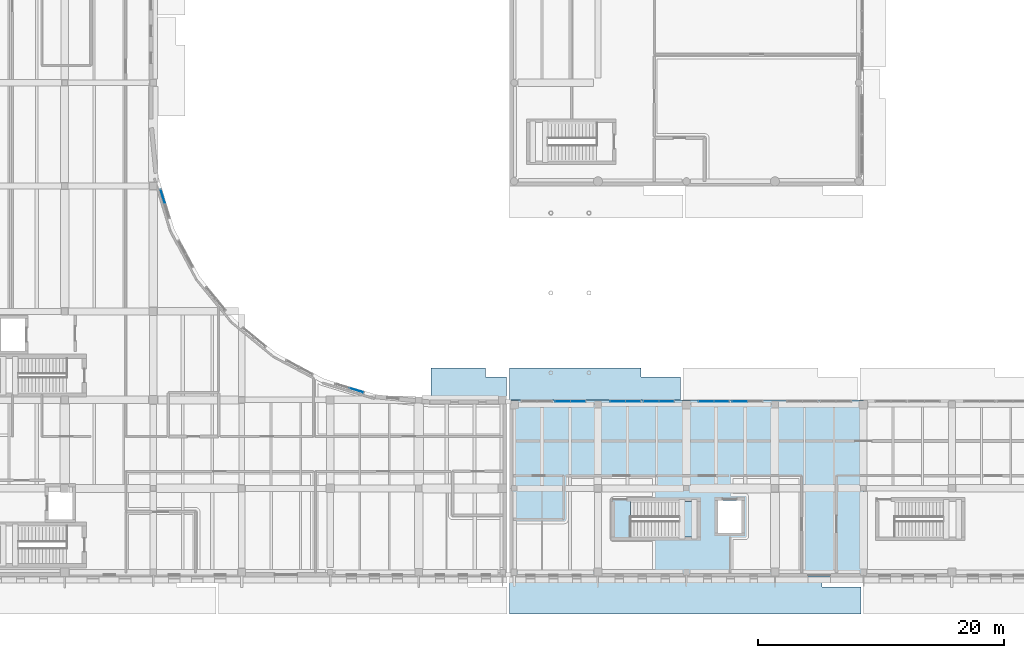
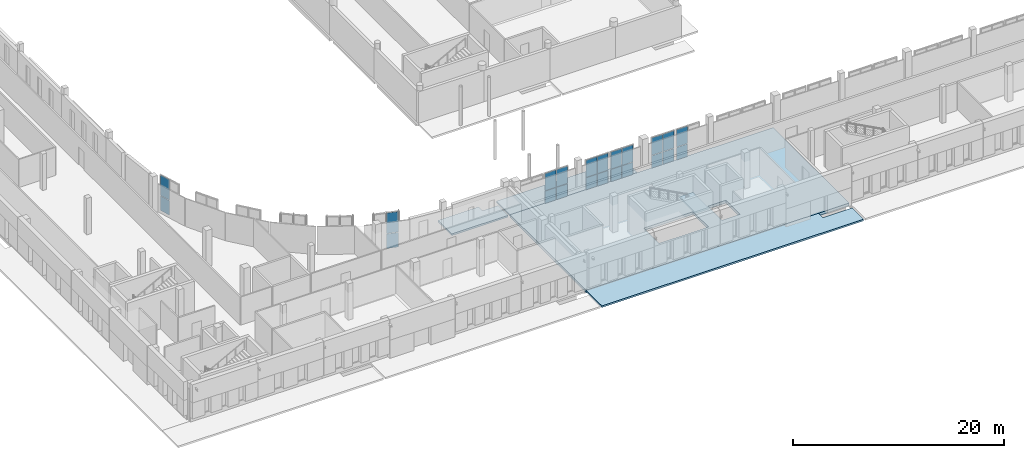
# One storey, part 38 of 77: 22 plates, 5 slabs, 8 elements without a shape of their own.
"""IFC4 building model written with IfcOpenShell, lengths in metres."""

import ifcopenshell
import ifcopenshell.guid

model = None  # the IFC model being written
_history = None  # IfcOwnerHistory: only IFC2X3 demands one
_inside = {}  # id of a spatial element -> (the spatial element, [elements in it])
_under = {}  # id of a project, library or spatial element -> (it, [spatial elements below it])
_declared = {}  # id of a project -> (the project, [libraries it declares])
_typed = {}  # id of a type object -> (the type object, [elements of that type])
_made_of = {}  # id of a material, layer set ... -> (it, [elements and type objects made of it])


def new_model(schema):
    """Start an empty IFC model of exactly this schema.

    Asked for "IFC4X3", IfcOpenShell would pick the latest addendum, in which some entities
    have other attributes; the version numbers below select the first issue.
    IFC2X3 requires an IfcOwnerHistory on every rooted entity: one is made here for all.
    """
    global model, _history
    if schema == "IFC4X3":
        model = ifcopenshell.file(schema_version=(4, 3, 0, 0))
    else:
        model = ifcopenshell.file(schema=schema)
    _inside.clear()
    _under.clear()
    _declared.clear()
    _typed.clear()
    _made_of.clear()
    _history = None
    if model.schema == "IFC2X3":
        org = make("IfcOrganization", Name="unknown")
        user = make(
            "IfcPersonAndOrganization",
            ThePerson=make("IfcPerson", FamilyName="unknown"),
            TheOrganization=org,
        )
        app = make(
            "IfcApplication",
            ApplicationDeveloper=org,
            Version="unknown",
            ApplicationFullName="unknown",
            ApplicationIdentifier="unknown",
        )
        _history = make(
            "IfcOwnerHistory",
            OwningUser=user,
            OwningApplication=app,
            ChangeAction="ADDED",
            CreationDate=0,
        )
    return model


def make(cls, **values):
    """One entity of the class cls with the attributes given. An attribute that is None is left unset."""
    return model.create_entity(
        cls, **{name: value for name, value in values.items() if value is not None}
    )


def rooted(cls, **values):
    """An entity with a GlobalId (a new one), such as an element, a storey or a relation."""
    return make(cls, GlobalId=ifcopenshell.guid.new(), OwnerHistory=_history, **values)


def si_unit(unit_type, name, prefix=None):
    """IfcSIUnit, for example si_unit("LENGTHUNIT", "METRE", prefix="MILLI")."""
    return make("IfcSIUnit", UnitType=unit_type, Prefix=prefix, Name=name)


def assignment(units):
    """IfcUnitAssignment: the units of a project."""
    return None if units is None else make("IfcUnitAssignment", Units=units)


def point(xyz):
    """IfcCartesianPoint."""
    return None if xyz is None else make("IfcCartesianPoint", Coordinates=xyz)


def direction(xyz):
    """IfcDirection."""
    return None if xyz is None else make("IfcDirection", DirectionRatios=xyz)


def frame(location, z_axis=None, x_axis=None):
    """IfcAxis2Placement3D, a coordinate frame: its origin and axes. An axis left out is left unset."""
    return make(
        "IfcAxis2Placement3D",
        Location=point(location),
        Axis=direction(z_axis),
        RefDirection=direction(x_axis),
    )


def frame_2d(location, x_axis=None):
    """IfcAxis2Placement2D, a coordinate frame in the plane: its origin and x axis."""
    return make(
        "IfcAxis2Placement2D", Location=point(location), RefDirection=direction(x_axis)
    )


def origin():
    """The frame at (0, 0, 0) with its axes left unset."""
    return frame((0.0, 0.0, 0.0))


def origin_2d():
    """The frame at (0, 0) in the plane with its x axis left unset."""
    return frame_2d((0.0, 0.0))


def place(relative_to, where):
    """IfcLocalPlacement: puts the frame where relative to a parent placement (None: the world)."""
    return make(
        "IfcLocalPlacement", PlacementRelTo=relative_to, RelativePlacement=where
    )


def context(
    kind, dimensions, precision=None, world=None, true_north=None, identifier=None
):
    """IfcGeometricRepresentationContext, for example the 3D "Model" context."""
    return make(
        "IfcGeometricRepresentationContext",
        ContextIdentifier=identifier,
        ContextType=kind,
        CoordinateSpaceDimension=dimensions,
        Precision=precision,
        WorldCoordinateSystem=world,
        TrueNorth=true_north,
    )


def subcontext(parent, identifier, kind, view, scale=None):
    """IfcGeometricRepresentationSubContext, for example "Body" below "Model"."""
    return make(
        "IfcGeometricRepresentationSubContext",
        ContextIdentifier=identifier,
        ContextType=kind,
        ParentContext=parent,
        TargetScale=scale,
        TargetView=view,
    )


def project(units=None, contexts=None):
    """IfcProject with its units and contexts."""
    return rooted(
        "IfcProject",
        Name="project",
        RepresentationContexts=contexts,
        UnitsInContext=assignment(units),
    )


def spatial(cls, under=None, at=None, **own):
    """A site, building, storey or space (cls), placed at a placement, below another one or the project."""
    s = rooted(cls, ObjectPlacement=at, **own)
    if under is not None:
        _under.setdefault(under.id(), (under, []))[1].append(s)
    return s


def polyline(points):
    """IfcPolyline through the points."""
    return make("IfcPolyline", Points=[point(p) for p in points])


def profile(cls, at=None, kind="AREA", **sizes):
    """A parametric profile (cls). Its sizes go by their IFC names, for example OverallWidth=200.0."""
    return make(cls, ProfileType=kind, Position=at, **sizes)


def rectangle(**sizes):
    """IfcRectangleProfileDef."""
    return profile("IfcRectangleProfileDef", **sizes)


def outline(outer, holes=None, kind="AREA"):
    """IfcArbitraryClosedProfileDef: a profile drawn as a closed curve; with holes, ...WithVoids."""
    if holes is None:
        return make("IfcArbitraryClosedProfileDef", ProfileType=kind, OuterCurve=outer)
    return make(
        "IfcArbitraryProfileDefWithVoids",
        ProfileType=kind,
        OuterCurve=outer,
        InnerCurves=holes,
    )


def extrude(swept, where, along, depth):
    """IfcExtrudedAreaSolid: the profile swept, set in the frame where, extruded along a direction by depth."""
    return make(
        "IfcExtrudedAreaSolid",
        SweptArea=swept,
        Position=where,
        ExtrudedDirection=direction(along),
        Depth=depth,
    )


def shape(context_of_items, identifier, shape_type, items):
    """IfcShapeRepresentation: the items that make up one representation, for example the "Body"."""
    return make(
        "IfcShapeRepresentation",
        ContextOfItems=context_of_items,
        RepresentationIdentifier=identifier,
        RepresentationType=shape_type,
        Items=items,
    )


def material(Name=None, Category=None):
    """IfcMaterial."""
    return make("IfcMaterial", Name=Name, Category=Category)


def layer(
    of_material, thickness, ventilated=None, Name=None, Category=None, Priority=None
):
    """IfcMaterialLayer: one layer of a wall or slab, of a material (None: an air gap)."""
    return make(
        "IfcMaterialLayer",
        Material=of_material,
        LayerThickness=thickness,
        IsVentilated=ventilated,
        Name=Name,
        Category=Category,
        Priority=Priority,
    )


def layer_set(layers, Name=None):
    """IfcMaterialLayerSet."""
    return make("IfcMaterialLayerSet", MaterialLayers=layers, LayerSetName=Name)


def made_of(thing, what):
    """Note that an element or type object is made of a material, layer set ...; save() writes the relation."""
    if what is not None:
        _made_of.setdefault(what.id(), (what, []))[1].append(thing)
    return thing


def type_object(cls, material=None, **own):
    """A type object (cls), such as IfcWallType, which elements share."""
    return made_of(rooted(cls, **own), material)


def element(
    cls,
    number,
    at=None,
    inside=None,
    cuts=None,
    type_object=None,
    material=None,
    context=None,
    identifier="Body",
    shape_type=None,
    held_by="IfcProductDefinitionShape",
    body=None,
    shapes=None,
    **own,
):
    """One element of the class cls, such as IfcWall. Its Tag is "e" and its number.

    at: its placement. inside: the storey or other place that contains it. cuts: it is an
    opening in that element (IfcRelVoidsElement). A single representation is given by context,
    identifier, shape_type and body (its items); several are given by shapes. held_by: the class
    of the entity that holds the representations. save() writes the other relations.
    """
    e = rooted(cls, Tag="e%d" % number, ObjectPlacement=at, **own)
    if body is not None:
        shapes = [shape(context, identifier, shape_type, body)]
    if shapes is not None:
        e.Representation = make(held_by, Representations=shapes)
    if inside is not None:
        _inside.setdefault(inside.id(), (inside, []))[1].append(e)
    if cuts is not None:
        rooted(
            "IfcRelVoidsElement", RelatingBuildingElement=cuts, RelatedOpeningElement=e
        )
    if type_object is not None:
        _typed.setdefault(type_object.id(), (type_object, []))[1].append(e)
    return made_of(e, material)


def aggregate(whole, parts):
    """IfcRelAggregates: a whole, such as a stair, and the parts it consists of."""
    return rooted("IfcRelAggregates", RelatingObject=whole, RelatedObjects=parts)


def save(model, path):
    """Write the relations noted so far, then the file.

    IfcRelAggregates (storeys below a building ...), IfcRelContainedInSpatialStructure (elements
    in a storey), IfcRelDefinesByType, IfcRelAssociatesMaterial and IfcRelDeclares: one each for
    every whole, place, type object, material and project.
    """
    for whole, parts in _under.values():
        aggregate(whole, parts)
    for where, things in _inside.values():
        rooted(
            "IfcRelContainedInSpatialStructure",
            RelatedElements=things,
            RelatingStructure=where,
        )
    for kind, things in _typed.values():
        rooted("IfcRelDefinesByType", RelatedObjects=things, RelatingType=kind)
    for what, things in _made_of.values():
        rooted("IfcRelAssociatesMaterial", RelatedObjects=things, RelatingMaterial=what)
    for by, libraries in _declared.values():
        rooted("IfcRelDeclares", RelatingContext=by, RelatedDefinitions=libraries)
    model.write(path)


model = new_model("IFC4")

# Units and contexts
model_context = context("Model", 3, precision=1e-05, world=origin(), true_north=direction((0.0, 1.0)))
body_context = subcontext(model_context, "Body", "Model", "MODEL_VIEW")
ifc_project = project(units=[si_unit("LENGTHUNIT", "METRE"), si_unit("AREAUNIT", "SQUARE_METRE"), si_unit("VOLUMEUNIT", "CUBIC_METRE"), si_unit("PLANEANGLEUNIT", "RADIAN"), si_unit("MASSUNIT", "GRAM", prefix="KILO")], contexts=[model_context])

# Site, building, storey
site_placement = place(None, origin())
site = spatial("IfcSite", under=ifc_project, at=site_placement, CompositionType="ELEMENT")
building_placement = place(site_placement, origin())
building = spatial("IfcBuilding", under=site, at=building_placement, Name="Vardoun Plaza Health Centre", CompositionType="ELEMENT")
storey_placement = place(building_placement, origin())
storey = spatial("IfcBuildingStorey", under=building, at=storey_placement, Name="L00", CompositionType="ELEMENT", Elevation=0.0)

# Curtain wall, plates
ifc_material_1 = material(Name="Aluminium Alloy EN AW-6063-T6 and Low-E Glass", Category="aluminium")
ifc_layer_1 = layer(ifc_material_1, 0.159912109375)
ifc_layer_set_1 = layer_set([ifc_layer_1], Name="Aluminium Alloy EN AW-6063-T6 and Low-E Glass")
curtain_wall_type_1 = type_object("IfcCurtainWallType", Name="CW-02", PredefinedType="USERDEFINED", material=ifc_layer_set_1)
curtain_wall_1_placement = place(storey_placement, origin())
curtain_wall_1 = element("IfcCurtainWall", 1, at=curtain_wall_1_placement, inside=storey, type_object=curtain_wall_type_1, Name="Curtain Wall CW-V2-033", ObjectType="COURTYARD_CURTAIN_WALL", PredefinedType="USERDEFINED")
ifc_material_2 = material(Name="Solar-Control Double Low-E Glazing", Category="glass")
ifc_layer_2 = layer(ifc_material_2, 0.028076171875)
ifc_layer_set_2 = layer_set([ifc_layer_2], Name="Solar-Control Double Low-E Glazing")
plate_type = type_object("IfcPlateType", Name="CW-P1", PredefinedType="CURTAIN_PANEL", material=ifc_layer_set_2)
plate_1_placement = place(storey_placement, frame((19.68115234375, 35.44677734375, 0.06005859375), z_axis=(0.0, 0.0, 1.0), x_axis=(0.290300428595, -0.956935557474, 0.0)))
plate_1 = element("IfcPlate", 2, at=plate_1_placement, type_object=plate_type, Name="CW-V2-033 panel 1.1", PredefinedType="CURTAIN_PANEL", context=body_context, shape_type="SweptSolid", body=[
    extrude(rectangle(XDim=1.155517578125, YDim=0.028076171875, at=origin_2d()), origin(), (0.0, 0.0, 1.0), 1.682373046875),
])
plate_2_placement = place(storey_placement, frame((19.68115234375, 35.44677734375, 1.80224609375), z_axis=(0.0, 0.0, 1.0), x_axis=(0.290300428595, -0.956935557474, 0.0)))
plate_2 = element("IfcPlate", 3, at=plate_2_placement, type_object=plate_type, Name="CW-V2-033 panel 1.2", PredefinedType="CURTAIN_PANEL", context=body_context, shape_type="SweptSolid", body=[
    extrude(rectangle(XDim=1.155517578125, YDim=0.028076171875, at=origin_2d()), origin(), (0.0, 0.0, 1.0), 2.357666015625),
])
aggregate(curtain_wall_1, [plate_1, plate_2])

curtain_wall_2_placement = place(storey_placement, origin())
curtain_wall_2 = element("IfcCurtainWall", 4, at=curtain_wall_2_placement, inside=storey, type_object=curtain_wall_type_1, Name="Curtain Wall CW-V2-038", ObjectType="COURTYARD_CURTAIN_WALL", PredefinedType="USERDEFINED")
plate_3_placement = place(storey_placement, frame((35.44677734375, 19.68115234375, 0.06005859375), z_axis=(0.0, 0.0, 1.0), x_axis=(0.956935557474, -0.290300428595, 0.0)))
plate_3 = element("IfcPlate", 5, at=plate_3_placement, type_object=plate_type, Name="CW-V2-038 panel 2.1", PredefinedType="CURTAIN_PANEL", context=body_context, shape_type="SweptSolid", body=[
    extrude(rectangle(XDim=1.155517578125, YDim=0.028076171875, at=origin_2d()), origin(), (0.0, 0.0, 1.0), 1.682373046875),
])
plate_4_placement = place(storey_placement, frame((35.44677734375, 19.68115234375, 1.80224609375), z_axis=(0.0, 0.0, 1.0), x_axis=(0.956935557474, -0.290300428595, 0.0)))
plate_4 = element("IfcPlate", 6, at=plate_4_placement, type_object=plate_type, Name="CW-V2-038 panel 2.2", PredefinedType="CURTAIN_PANEL", context=body_context, shape_type="SweptSolid", body=[
    extrude(rectangle(XDim=1.155517578125, YDim=0.028076171875, at=origin_2d()), origin(), (0.0, 0.0, 1.0), 2.357666015625),
])
aggregate(curtain_wall_2, [plate_3, plate_4])

ifc_material_3 = material(Name="Aluminium Alloy EN AW-6063-T6 and Low-E Glass", Category="aluminium")
ifc_layer_3 = layer(ifc_material_3, 0.14990234375)
ifc_layer_set_3 = layer_set([ifc_layer_3], Name="Aluminium Alloy EN AW-6063-T6 and Low-E Glass")
curtain_wall_type_2 = type_object("IfcCurtainWallType", Name="CW-03", PredefinedType="NOTDEFINED", material=ifc_layer_set_3)
curtain_wall_3_placement = place(storey_placement, origin())
curtain_wall_3 = element("IfcCurtainWall", 7, at=curtain_wall_3_placement, inside=storey, type_object=curtain_wall_type_2, Name="Curtain Wall CW-V4-102", PredefinedType="NOTDEFINED")
plate_5_placement = place(storey_placement, frame((52.215087890625, 18.780029296875, 0.06005859375), z_axis=(0.0, 0.0, 1.0), x_axis=(1.0, 0.0, 0.0)))
plate_5 = element("IfcPlate", 8, at=plate_5_placement, type_object=plate_type, Name="CW-V4-102 panel 1.1", PredefinedType="CURTAIN_PANEL", context=body_context, shape_type="SweptSolid", body=[
    extrude(rectangle(XDim=1.18994140625, YDim=0.028076171875, at=origin_2d()), origin(), (0.0, 0.0, 1.0), 1.417724609375),
])
plate_6_placement = place(storey_placement, frame((52.215087890625, 18.780029296875, 1.537841796875), z_axis=(0.0, 0.0, 1.0), x_axis=(1.0, 0.0, 0.0)))
plate_6 = element("IfcPlate", 9, at=plate_6_placement, type_object=plate_type, Name="CW-V4-102 panel 1.2", PredefinedType="CURTAIN_PANEL", context=body_context, shape_type="SweptSolid", body=[
    extrude(rectangle(XDim=1.18994140625, YDim=0.028076171875, at=origin_2d()), origin(), (0.0, 0.0, 1.0), 1.9921875),
])
plate_7_placement = place(storey_placement, frame((53.465087890625, 18.780029296875, 0.06005859375), z_axis=(0.0, 0.0, 1.0), x_axis=(1.0, 0.0, 0.0)))
plate_7 = element("IfcPlate", 10, at=plate_7_placement, type_object=plate_type, Name="CW-V4-102 panel 2.1", PredefinedType="CURTAIN_PANEL", context=body_context, shape_type="SweptSolid", body=[
    extrude(rectangle(XDim=1.18994140625, YDim=0.028076171875, at=origin_2d()), origin(), (0.0, 0.0, 1.0), 1.417724609375),
])
plate_8_placement = place(storey_placement, frame((53.465087890625, 18.780029296875, 1.537841796875), z_axis=(0.0, 0.0, 1.0), x_axis=(1.0, 0.0, 0.0)))
plate_8 = element("IfcPlate", 11, at=plate_8_placement, type_object=plate_type, Name="CW-V4-102 panel 2.2", PredefinedType="CURTAIN_PANEL", context=body_context, shape_type="SweptSolid", body=[
    extrude(rectangle(XDim=1.18994140625, YDim=0.028076171875, at=origin_2d()), origin(), (0.0, 0.0, 1.0), 1.9921875),
])
aggregate(curtain_wall_3, [plate_5, plate_6, plate_7, plate_8])

curtain_wall_4_placement = place(storey_placement, origin())
curtain_wall_4 = element("IfcCurtainWall", 12, at=curtain_wall_4_placement, inside=storey, type_object=curtain_wall_type_2, Name="Curtain Wall CW-V4-103", PredefinedType="NOTDEFINED")
plate_9_placement = place(storey_placement, frame((56.695068359375, 18.780029296875, 0.06005859375), z_axis=(0.0, 0.0, 1.0), x_axis=(1.0, 0.0, 0.0)))
plate_9 = element("IfcPlate", 13, at=plate_9_placement, type_object=plate_type, Name="CW-V4-103 panel 1.1", PredefinedType="CURTAIN_PANEL", context=body_context, shape_type="SweptSolid", body=[
    extrude(rectangle(XDim=1.18994140625, YDim=0.028076171875, at=origin_2d()), origin(), (0.0, 0.0, 1.0), 1.40087890625),
])
plate_10_placement = place(storey_placement, frame((56.695068359375, 18.780029296875, 1.52099609375), z_axis=(0.0, 0.0, 1.0), x_axis=(1.0, 0.0, 0.0)))
plate_10 = element("IfcPlate", 14, at=plate_10_placement, type_object=plate_type, Name="CW-V4-103 panel 1.2", PredefinedType="CURTAIN_PANEL", context=body_context, shape_type="SweptSolid", body=[
    extrude(rectangle(XDim=1.18994140625, YDim=0.028076171875, at=origin_2d()), origin(), (0.0, 0.0, 1.0), 1.968994140625),
])
plate_11_placement = place(storey_placement, frame((57.945068359375, 18.780029296875, 0.06005859375), z_axis=(0.0, 0.0, 1.0), x_axis=(1.0, 0.0, 0.0)))
plate_11 = element("IfcPlate", 15, at=plate_11_placement, type_object=plate_type, Name="CW-V4-103 panel 2.1", PredefinedType="CURTAIN_PANEL", context=body_context, shape_type="SweptSolid", body=[
    extrude(rectangle(XDim=1.18994140625, YDim=0.028076171875, at=origin_2d()), origin(), (0.0, 0.0, 1.0), 1.40087890625),
])
plate_12_placement = place(storey_placement, frame((57.945068359375, 18.780029296875, 1.52099609375), z_axis=(0.0, 0.0, 1.0), x_axis=(1.0, 0.0, 0.0)))
plate_12 = element("IfcPlate", 16, at=plate_12_placement, type_object=plate_type, Name="CW-V4-103 panel 2.2", PredefinedType="CURTAIN_PANEL", context=body_context, shape_type="SweptSolid", body=[
    extrude(rectangle(XDim=1.18994140625, YDim=0.028076171875, at=origin_2d()), origin(), (0.0, 0.0, 1.0), 1.968994140625),
])
aggregate(curtain_wall_4, [plate_9, plate_10, plate_11, plate_12])

curtain_wall_5_placement = place(storey_placement, origin())
curtain_wall_5 = element("IfcCurtainWall", 17, at=curtain_wall_5_placement, inside=storey, type_object=curtain_wall_type_2, Name="Curtain Wall CW-V4-104", PredefinedType="NOTDEFINED")
plate_13_placement = place(storey_placement, frame((59.4150390625, 18.780029296875, 0.06005859375), z_axis=(0.0, 0.0, 1.0), x_axis=(1.0, 0.0, 0.0)))
plate_13 = element("IfcPlate", 18, at=plate_13_placement, type_object=plate_type, Name="CW-V4-104 panel 1.1", PredefinedType="CURTAIN_PANEL", context=body_context, shape_type="SweptSolid", body=[
    extrude(rectangle(XDim=1.18994140625, YDim=0.028076171875, at=origin_2d()), origin(), (0.0, 0.0, 1.0), 1.40087890625),
])
plate_14_placement = place(storey_placement, frame((59.4150390625, 18.780029296875, 1.52099609375), z_axis=(0.0, 0.0, 1.0), x_axis=(1.0, 0.0, 0.0)))
plate_14 = element("IfcPlate", 19, at=plate_14_placement, type_object=plate_type, Name="CW-V4-104 panel 1.2", PredefinedType="CURTAIN_PANEL", context=body_context, shape_type="SweptSolid", body=[
    extrude(rectangle(XDim=1.18994140625, YDim=0.028076171875, at=origin_2d()), origin(), (0.0, 0.0, 1.0), 1.968994140625),
])
plate_15_placement = place(storey_placement, frame((60.6650390625, 18.780029296875, 0.06005859375), z_axis=(0.0, 0.0, 1.0), x_axis=(1.0, 0.0, 0.0)))
plate_15 = element("IfcPlate", 20, at=plate_15_placement, type_object=plate_type, Name="CW-V4-104 panel 2.1", PredefinedType="CURTAIN_PANEL", context=body_context, shape_type="SweptSolid", body=[
    extrude(rectangle(XDim=1.18994140625, YDim=0.028076171875, at=origin_2d()), origin(), (0.0, 0.0, 1.0), 1.40087890625),
])
plate_16_placement = place(storey_placement, frame((60.6650390625, 18.780029296875, 1.52099609375), z_axis=(0.0, 0.0, 1.0), x_axis=(1.0, 0.0, 0.0)))
plate_16 = element("IfcPlate", 21, at=plate_16_placement, type_object=plate_type, Name="CW-V4-104 panel 2.2", PredefinedType="CURTAIN_PANEL", context=body_context, shape_type="SweptSolid", body=[
    extrude(rectangle(XDim=1.18994140625, YDim=0.028076171875, at=origin_2d()), origin(), (0.0, 0.0, 1.0), 1.968994140625),
])
aggregate(curtain_wall_5, [plate_13, plate_14, plate_15, plate_16])

curtain_wall_6_placement = place(storey_placement, origin())
curtain_wall_6 = element("IfcCurtainWall", 22, at=curtain_wall_6_placement, inside=storey, type_object=curtain_wall_type_2, Name="Curtain Wall CW-V4-105", PredefinedType="NOTDEFINED")
plate_17_placement = place(storey_placement, frame((63.89501953125, 18.780029296875, 0.06005859375), z_axis=(0.0, 0.0, 1.0), x_axis=(1.0, 0.0, 0.0)))
plate_17 = element("IfcPlate", 23, at=plate_17_placement, type_object=plate_type, Name="CW-V4-105 panel 1.1", PredefinedType="CURTAIN_PANEL", context=body_context, shape_type="SweptSolid", body=[
    extrude(rectangle(XDim=1.18994140625, YDim=0.028076171875, at=origin_2d()), origin(), (0.0, 0.0, 1.0), 1.430419921875),
])
plate_18_placement = place(storey_placement, frame((63.89501953125, 18.780029296875, 1.55029296875), z_axis=(0.0, 0.0, 1.0), x_axis=(1.0, 0.0, 0.0)))
plate_18 = element("IfcPlate", 24, at=plate_18_placement, type_object=plate_type, Name="CW-V4-105 panel 1.2", PredefinedType="CURTAIN_PANEL", context=body_context, shape_type="SweptSolid", body=[
    extrude(rectangle(XDim=1.18994140625, YDim=0.028076171875, at=origin_2d()), origin(), (0.0, 0.0, 1.0), 2.009521484375),
])
plate_19_placement = place(storey_placement, frame((65.14501953125, 18.780029296875, 0.06005859375), z_axis=(0.0, 0.0, 1.0), x_axis=(1.0, 0.0, 0.0)))
plate_19 = element("IfcPlate", 25, at=plate_19_placement, type_object=plate_type, Name="CW-V4-105 panel 2.1", PredefinedType="CURTAIN_PANEL", context=body_context, shape_type="SweptSolid", body=[
    extrude(rectangle(XDim=1.18994140625, YDim=0.028076171875, at=origin_2d()), origin(), (0.0, 0.0, 1.0), 1.430419921875),
])
plate_20_placement = place(storey_placement, frame((65.14501953125, 18.780029296875, 1.55029296875), z_axis=(0.0, 0.0, 1.0), x_axis=(1.0, 0.0, 0.0)))
plate_20 = element("IfcPlate", 26, at=plate_20_placement, type_object=plate_type, Name="CW-V4-105 panel 2.2", PredefinedType="CURTAIN_PANEL", context=body_context, shape_type="SweptSolid", body=[
    extrude(rectangle(XDim=1.18994140625, YDim=0.028076171875, at=origin_2d()), origin(), (0.0, 0.0, 1.0), 2.009521484375),
])
aggregate(curtain_wall_6, [plate_17, plate_18, plate_19, plate_20])

curtain_wall_7_placement = place(storey_placement, origin())
curtain_wall_7 = element("IfcCurtainWall", 27, at=curtain_wall_7_placement, inside=storey, type_object=curtain_wall_type_2, Name="Curtain Wall CW-V4-106", PredefinedType="NOTDEFINED")
plate_21_placement = place(storey_placement, frame((66.614990234375, 18.780029296875, 0.06005859375), z_axis=(0.0, 0.0, 1.0), x_axis=(1.0, 0.0, 0.0)))
plate_21 = element("IfcPlate", 28, at=plate_21_placement, type_object=plate_type, Name="CW-V4-106 panel 1.1", PredefinedType="CURTAIN_PANEL", context=body_context, shape_type="SweptSolid", body=[
    extrude(rectangle(XDim=1.18994140625, YDim=0.028076171875, at=origin_2d()), origin(), (0.0, 0.0, 1.0), 1.430419921875),
])
plate_22_placement = place(storey_placement, frame((66.614990234375, 18.780029296875, 1.55029296875), z_axis=(0.0, 0.0, 1.0), x_axis=(1.0, 0.0, 0.0)))
plate_22 = element("IfcPlate", 29, at=plate_22_placement, type_object=plate_type, Name="CW-V4-106 panel 1.2", PredefinedType="CURTAIN_PANEL", context=body_context, shape_type="SweptSolid", body=[
    extrude(rectangle(XDim=1.18994140625, YDim=0.028076171875, at=origin_2d()), origin(), (0.0, 0.0, 1.0), 2.009521484375),
])
aggregate(curtain_wall_7, [plate_21, plate_22])

# Stair, slab
ifc_material_4 = material(Name="Concrete C35/45", Category="concrete")
stair_type = type_object("IfcStairType", Name="ST-01", PredefinedType="HALF_TURN_STAIR", material=ifc_material_4)
stair_placement = place(storey_placement, origin())
stair = element("IfcStair", 30, at=stair_placement, inside=storey, type_object=stair_type, Name="Core C6 L00 Exit Stair ST-C6-L00", PredefinedType="HALF_TURN_STAIR")
ifc_material_5 = material(Name="Concrete C35/45", Category="concrete")
ifc_layer_4 = layer(ifc_material_5, 0.199951171875)
ifc_layer_set_4 = layer_set([ifc_layer_4], Name="Concrete C35/45")
slab_type_1 = type_object("IfcSlabType", Name="SL-LD", PredefinedType="LANDING", material=ifc_layer_set_4)
slab_1_placement = place(storey_placement, frame((0.0, 0.0, 2.050048828125)))
slab_1 = element("IfcSlab", 31, at=slab_1_placement, type_object=slab_type_1, Name="ST-C6-L00 landing 1", PredefinedType="LANDING", context=body_context, shape_type="SweptSolid", body=[
    extrude(outline(polyline([(61.66943359375, 7.75), (63.14990234375, 7.75), (63.14990234375, 10.64990234375), (61.66943359375, 10.64990234375), (61.66943359375, 7.75)])), origin(), (0.0, 0.0, 1.0), 0.199951171875),
])
aggregate(stair, [slab_1])

# Slabs
ifc_material_6 = material(Name="Concrete C35/45", Category="concrete")
ifc_layer_5 = layer(ifc_material_6, 0.31494140625)
ifc_layer_set_5 = layer_set([ifc_layer_5], Name="Concrete C35/45")
slab_type_2 = type_object("IfcSlabType", Name="SL-05", PredefinedType="FLOOR", material=ifc_layer_set_5)
slab_2_placement = place(storey_placement, frame((0.0, 0.0, -0.31494140625)))
element("IfcSlab", 32, at=slab_2_placement, inside=storey, type_object=slab_type_2, Name="V4 L00 Structural Slab A", PredefinedType="FLOOR", context=body_context, shape_type="SweptSolid", body=[
    extrude(outline(polyline([(47.8798828125, 4.5), (76.679931640625, 4.5), (76.679931640625, 18.89990234375), (47.8798828125, 18.89990234375), (47.8798828125, 4.5)]), holes=[polyline([(57.75048828125, 7.75), (63.14990234375, 7.75), (63.14990234375, 10.64990234375), (57.75048828125, 10.64990234375), (57.75048828125, 7.75)]), polyline([(64.820068359375, 8.070068359375), (66.780029296875, 8.070068359375), (66.780029296875, 10.72998046875), (64.820068359375, 10.72998046875), (64.820068359375, 8.070068359375)])]), origin(), (0.0, 0.0, 1.0), 0.31494140625),
])
ifc_material_7 = material(Name="Pale Limestone Concrete C35/45", Category="masonry")
ifc_layer_6 = layer(ifc_material_7, 0.169921875)
ifc_layer_set_6 = layer_set([ifc_layer_6], Name="Pale Limestone Concrete C35/45")
slab_type_3 = type_object("IfcSlabType", Name="SL-T2", PredefinedType="USERDEFINED", material=ifc_layer_set_6)
slab_3_placement = place(storey_placement, frame((0.0, 0.0, -0.199951171875)))
element("IfcSlab", 33, at=slab_3_placement, inside=storey, type_object=slab_type_3, Name="Ground Plaza Paving Apron PZ-S3", ObjectType="PAVING", PredefinedType="USERDEFINED", context=body_context, shape_type="SweptSolid", body=[
    extrude(outline(polyline([(47.8798828125, 1.5), (76.5, 1.5), (76.5, 3.659912109375), (73.300048828125, 3.659912109375), (73.300048828125, 4.5), (47.8798828125, 4.5), (47.8798828125, 1.5)])), origin(), (0.0, 0.0, 1.0), 0.199951171875),
])
slab_4_placement = place(storey_placement, frame((0.0, 0.0, -0.199951171875)))
element("IfcSlab", 34, at=slab_4_placement, inside=storey, type_object=slab_type_3, Name="Ground Plaza Paving Apron PZ-C05", ObjectType="PAVING", PredefinedType="USERDEFINED", context=body_context, shape_type="SweptSolid", body=[
    extrude(outline(polyline([(41.5, 18.89990234375), (47.64990234375, 18.89990234375), (47.64990234375, 20.77197265625), (45.927978515625, 20.77197265625), (45.927978515625, 21.5), (41.5, 21.5), (41.5, 18.89990234375)])), origin(), (0.0, 0.0, 1.0), 0.199951171875),
])
slab_5_placement = place(storey_placement, frame((0.0, 0.0, -0.199951171875)))
element("IfcSlab", 35, at=slab_5_placement, inside=storey, type_object=slab_type_3, Name="Ground Plaza Paving Apron PZ-C06", ObjectType="PAVING", PredefinedType="USERDEFINED", context=body_context, shape_type="SweptSolid", body=[
    extrude(outline(polyline([(47.8798828125, 18.89990234375), (61.800048828125, 18.89990234375), (61.800048828125, 20.77197265625), (58.60009765625, 20.77197265625), (58.60009765625, 21.5), (47.8798828125, 21.5), (47.8798828125, 18.89990234375)])), origin(), (0.0, 0.0, 1.0), 0.199951171875),
])

save(model, "model.ifc")
